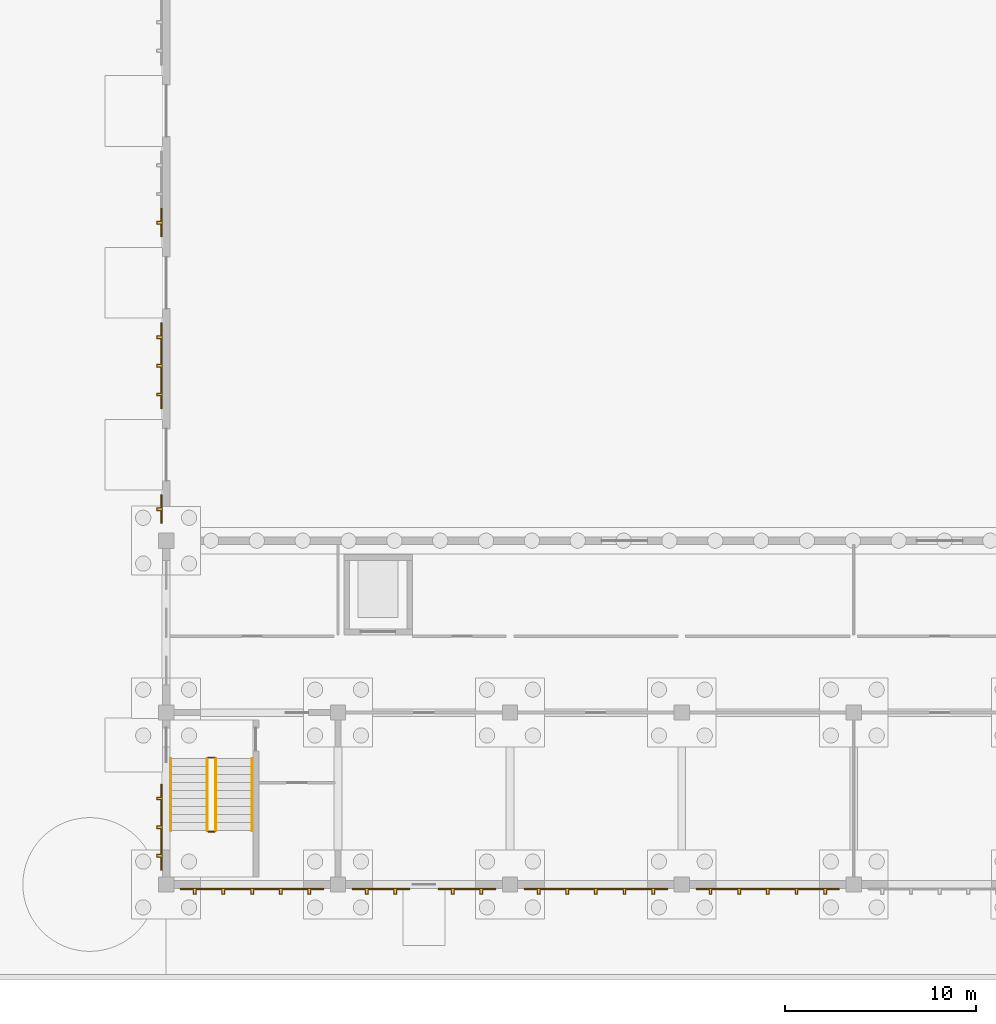
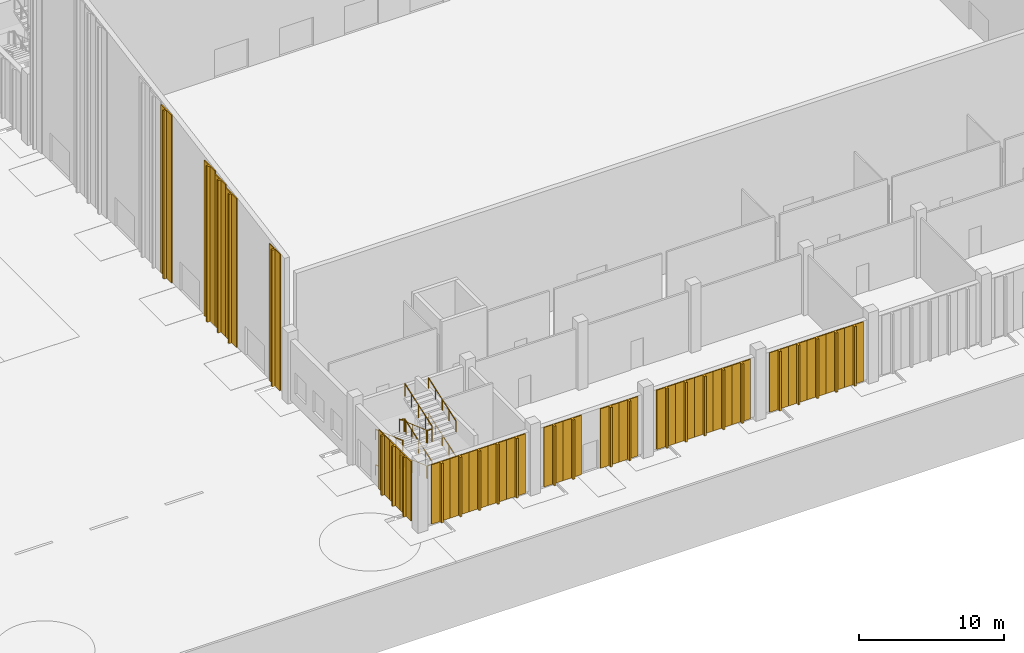
# One storey, part 177 of 198: 27 coverings, 12 railings.
"""IFC4 building model written with IfcOpenShell, lengths in metres."""

from ifc_helpers import new_model, si_unit, direction, frame, origin, origin_2d, place, context, subcontext, project, spatial, polyline, circle, outline, extrude, material, layer, layer_set, constituent, constituent_set, type_object, element, save


model = new_model("IFC4")

# Units and contexts
model_context = context("Model", 3, precision=1e-05, world=origin(), true_north=direction((0.0, 1.0)))
body_context = subcontext(model_context, "Body", "Model", "MODEL_VIEW")
ifc_project = project(units=[si_unit("LENGTHUNIT", "METRE"), si_unit("AREAUNIT", "SQUARE_METRE"), si_unit("VOLUMEUNIT", "CUBIC_METRE"), si_unit("PLANEANGLEUNIT", "RADIAN"), si_unit("MASSUNIT", "GRAM", prefix="KILO")], contexts=[model_context])

# Site, building, storey
site_placement = place(None, origin())
site = spatial("IfcSite", under=ifc_project, at=site_placement, CompositionType="ELEMENT")
building_placement = place(site_placement, origin())
building = spatial("IfcBuilding", under=site, at=building_placement, Name="Opaline Strait Convention Centre", CompositionType="ELEMENT")
storey_placement = place(building_placement, origin())
storey = spatial("IfcBuildingStorey", under=building, at=storey_placement, Name="L00", CompositionType="ELEMENT", Elevation=0.0)

# Railings
ifc_material_1 = material(Name="Steel Q235B", Category="steel")
ifc_constituent_1 = constituent(ifc_material_1, Name="Frame")
ifc_material_2 = material(Name="Safety glass, bonded interlayer", Category="glass")
ifc_constituent_2 = constituent(ifc_material_2, Name="Infill")
ifc_constituent_set = constituent_set(constituents=[ifc_constituent_1, ifc_constituent_2], Name="Steel Q235B, Safety glass, bonded interlayer")
railing_type_1 = type_object("IfcRailingType", Name="Guard 1100 steel and glass", PredefinedType="GUARDRAIL", material=ifc_constituent_set)
railing_1_placement = place(storey_placement, frame((290.14990234375, 15.60009765625, 0.14990234375)))
element("IfcRailing", 1, at=railing_1_placement, inside=storey, type_object=railing_type_1, Name="L00 B-STSW stair guard 1", PredefinedType="GUARDRAIL", context=body_context, shape_type="SweptSolid", body=[
    extrude(circle(Radius=0.02392578125, at=origin_2d()), frame((0.0, 0.0, 1.076171875), z_axis=(0.0, -0.941735030876, 0.336355662388), x_axis=(1.0, 0.0, 0.0)), (0.0, 0.0, 1.0), 4.013916015625),
    extrude(circle(Radius=0.02099609375, at=origin_2d()), origin(), (0.0, 0.0, 1.0), 1.052001953125),
    extrude(circle(Radius=0.02099609375, at=origin_2d()), frame((0.0, -0.945068359375, 0.33740234375)), (0.0, 0.0, 1.0), 1.052001953125),
    extrude(circle(Radius=0.02099609375, at=origin_2d()), frame((0.0, -1.89013671875, 0.675048828125)), (0.0, 0.0, 1.0), 1.052001953125),
    extrude(circle(Radius=0.02099609375, at=origin_2d()), frame((0.0, -2.8349609375, 1.0126953125)), (0.0, 0.0, 1.0), 1.052001953125),
    extrude(circle(Radius=0.02099609375, at=origin_2d()), frame((0.0, -3.780029296875, 1.35009765625)), (0.0, 0.0, 1.0), 1.052001953125),
])
railing_2_placement = place(storey_placement, frame((290.199951171875, 11.77001953125, 1.5)))
element("IfcRailing", 2, at=railing_2_placement, inside=storey, type_object=railing_type_1, Name="L00 B-STSW stair guard 2", PredefinedType="GUARDRAIL", context=body_context, shape_type="SweptSolid", body=[
    extrude(circle(Radius=0.02392578125, at=origin_2d()), frame((0.0, 0.0, 1.076171875), z_axis=(1.0, 0.0, 0.0), x_axis=(0.0, 1.0, 0.0)), (0.0, 0.0, 1.0), 0.35009765625),
    extrude(circle(Radius=0.02099609375, at=origin_2d()), origin(), (0.0, 0.0, 1.0), 1.052001953125),
    extrude(circle(Radius=0.02099609375, at=origin_2d()), frame((0.35009765625, 0.0, 0.0)), (0.0, 0.0, 1.0), 1.052001953125),
])
railing_3_placement = place(storey_placement, frame((290.60009765625, 11.820068359375, 1.64990234375)))
element("IfcRailing", 3, at=railing_3_placement, inside=storey, type_object=railing_type_1, Name="L00 B-STSW stair guard 3", PredefinedType="GUARDRAIL", context=body_context, shape_type="SweptSolid", body=[
    extrude(circle(Radius=0.02392578125, at=origin_2d()), frame((0.0, 0.0, 1.076171875), z_axis=(0.0, 0.941735030876, 0.336355662388), x_axis=(-1.0, 0.0, 0.0)), (0.0, 0.0, 1.0), 4.013916015625),
    extrude(circle(Radius=0.02099609375, at=origin_2d()), origin(), (0.0, 0.0, 1.0), 1.052001953125),
    extrude(circle(Radius=0.02099609375, at=origin_2d()), frame((0.0, 0.945068359375, 0.33740234375)), (0.0, 0.0, 1.0), 1.052001953125),
    extrude(circle(Radius=0.02099609375, at=origin_2d()), frame((0.0, 1.89013671875, 0.675048828125)), (0.0, 0.0, 1.0), 1.052001953125),
    extrude(circle(Radius=0.02099609375, at=origin_2d()), frame((0.0, 2.8349609375, 1.0126953125)), (0.0, 0.0, 1.0), 1.052001953125),
    extrude(circle(Radius=0.02099609375, at=origin_2d()), frame((0.0, 3.780029296875, 1.35009765625)), (0.0, 0.0, 1.0), 1.052001953125),
])
railing_4_placement = place(storey_placement, frame((290.199951171875, 15.64990234375, 3.0)))
element("IfcRailing", 4, at=railing_4_placement, inside=storey, type_object=railing_type_1, Name="L00 B-STSW stair guard 4", PredefinedType="GUARDRAIL", context=body_context, shape_type="SweptSolid", body=[
    extrude(circle(Radius=0.02392578125, at=origin_2d()), frame((0.0, 0.0, 1.076171875), z_axis=(1.0, 0.0, 0.0), x_axis=(0.0, 1.0, 0.0)), (0.0, 0.0, 1.0), 0.35009765625),
    extrude(circle(Radius=0.02099609375, at=origin_2d()), origin(), (0.0, 0.0, 1.0), 1.052001953125),
    extrude(circle(Radius=0.02099609375, at=origin_2d()), frame((0.35009765625, 0.0, 0.0)), (0.0, 0.0, 1.0), 1.052001953125),
])
railing_5_placement = place(storey_placement, frame((290.14990234375, 15.60009765625, 3.14990234375)))
element("IfcRailing", 5, at=railing_5_placement, inside=storey, type_object=railing_type_1, Name="L00 B-STSW stair guard 5", PredefinedType="GUARDRAIL", context=body_context, shape_type="SweptSolid", body=[
    extrude(circle(Radius=0.02392578125, at=origin_2d()), frame((0.0, 0.0, 1.076171875), z_axis=(0.0, -0.941735030876, 0.336355662388), x_axis=(1.0, 0.0, 0.0)), (0.0, 0.0, 1.0), 4.013916015625),
    extrude(circle(Radius=0.02099609375, at=origin_2d()), origin(), (0.0, 0.0, 1.0), 1.052001953125),
    extrude(circle(Radius=0.02099609375, at=origin_2d()), frame((0.0, -0.945068359375, 0.33740234375)), (0.0, 0.0, 1.0), 1.052001953125),
    extrude(circle(Radius=0.02099609375, at=origin_2d()), frame((0.0, -1.89013671875, 0.675048828125)), (0.0, 0.0, 1.0), 1.052001953125),
    extrude(circle(Radius=0.02099609375, at=origin_2d()), frame((0.0, -2.8349609375, 1.0126953125)), (0.0, 0.0, 1.0), 1.052001953125),
    extrude(circle(Radius=0.02099609375, at=origin_2d()), frame((0.0, -3.780029296875, 1.35009765625)), (0.0, 0.0, 1.0), 1.052001953125),
])
railing_6_placement = place(storey_placement, frame((290.199951171875, 11.77001953125, 4.5)))
element("IfcRailing", 6, at=railing_6_placement, inside=storey, type_object=railing_type_1, Name="L00 B-STSW stair guard 6", PredefinedType="GUARDRAIL", context=body_context, shape_type="SweptSolid", body=[
    extrude(circle(Radius=0.02392578125, at=origin_2d()), frame((0.0, 0.0, 1.076171875), z_axis=(1.0, 0.0, 0.0), x_axis=(0.0, 1.0, 0.0)), (0.0, 0.0, 1.0), 0.35009765625),
    extrude(circle(Radius=0.02099609375, at=origin_2d()), origin(), (0.0, 0.0, 1.0), 1.052001953125),
    extrude(circle(Radius=0.02099609375, at=origin_2d()), frame((0.35009765625, 0.0, 0.0)), (0.0, 0.0, 1.0), 1.052001953125),
])
railing_7_placement = place(storey_placement, frame((290.60009765625, 11.820068359375, 4.64990234375)))
element("IfcRailing", 7, at=railing_7_placement, inside=storey, type_object=railing_type_1, Name="L00 B-STSW stair guard 7", PredefinedType="GUARDRAIL", context=body_context, shape_type="SweptSolid", body=[
    extrude(circle(Radius=0.02392578125, at=origin_2d()), frame((0.0, 0.0, 1.076171875), z_axis=(0.0, 0.941735030876, 0.336355662388), x_axis=(-1.0, 0.0, 0.0)), (0.0, 0.0, 1.0), 4.013916015625),
    extrude(circle(Radius=0.02099609375, at=origin_2d()), origin(), (0.0, 0.0, 1.0), 1.052001953125),
    extrude(circle(Radius=0.02099609375, at=origin_2d()), frame((0.0, 0.945068359375, 0.33740234375)), (0.0, 0.0, 1.0), 1.052001953125),
    extrude(circle(Radius=0.02099609375, at=origin_2d()), frame((0.0, 1.89013671875, 0.675048828125)), (0.0, 0.0, 1.0), 1.052001953125),
    extrude(circle(Radius=0.02099609375, at=origin_2d()), frame((0.0, 2.8349609375, 1.0126953125)), (0.0, 0.0, 1.0), 1.052001953125),
    extrude(circle(Radius=0.02099609375, at=origin_2d()), frame((0.0, 3.780029296875, 1.35009765625)), (0.0, 0.0, 1.0), 1.052001953125),
])
railing_8_placement = place(storey_placement, frame((290.199951171875, 15.64990234375, 0.0)))
element("IfcRailing", 8, at=railing_8_placement, inside=storey, type_object=railing_type_1, Name="L00 B-STSW stair guard 8", PredefinedType="GUARDRAIL", context=body_context, shape_type="SweptSolid", body=[
    extrude(circle(Radius=0.02392578125, at=origin_2d()), frame((0.0, 0.0, 1.076171875), z_axis=(1.0, 0.0, 0.0), x_axis=(0.0, 1.0, 0.0)), (0.0, 0.0, 1.0), 0.35009765625),
    extrude(circle(Radius=0.02099609375, at=origin_2d()), origin(), (0.0, 0.0, 1.0), 1.052001953125),
    extrude(circle(Radius=0.02099609375, at=origin_2d()), frame((0.35009765625, 0.0, 0.0)), (0.0, 0.0, 1.0), 1.052001953125),
])

# Coverings
ifc_material_3 = material(Name="Concrete C40 precast white", Category="concrete")
ifc_layer = layer(ifc_material_3, 0.300048828125)
ifc_layer_set = layer_set([ifc_layer], Name="Concrete C40 precast white")
covering_type = type_object("IfcCoveringType", Name="Ribbed precast panel white 1500", PredefinedType="CLADDING", material=ifc_layer_set)
covering_1_placement = place(storey_placement, origin())
element("IfcCovering", 9, at=covering_1_placement, inside=storey, type_object=covering_type, Name="Ribbed panel L00-W27 1", PredefinedType="CLADDING", context=body_context, shape_type="SweptSolid", body=[
    extrude(outline(polyline([(287.800048828125, 27.89990234375), (287.800048828125, 29.39990234375), (287.719970703125, 29.39990234375), (287.719970703125, 28.72509765625), (287.5, 28.72509765625), (287.5, 28.574951171875), (287.719970703125, 28.574951171875), (287.719970703125, 27.89990234375), (287.800048828125, 27.89990234375)])), origin(), (0.0, 0.0, 1.0), 11.536376953125),
])
covering_2_placement = place(storey_placement, origin())
element("IfcCovering", 10, at=covering_2_placement, inside=storey, type_object=covering_type, Name="Ribbed panel L00-W27 5", PredefinedType="CLADDING", context=body_context, shape_type="SweptSolid", body=[
    extrude(outline(polyline([(287.800048828125, 33.89990234375), (287.800048828125, 35.39990234375), (287.719970703125, 35.39990234375), (287.719970703125, 34.72509765625), (287.5, 34.72509765625), (287.5, 34.574951171875), (287.719970703125, 34.574951171875), (287.719970703125, 33.89990234375), (287.800048828125, 33.89990234375)])), origin(), (0.0, 0.0, 1.0), 12.594482421875),
])
covering_3_placement = place(storey_placement, origin())
element("IfcCovering", 11, at=covering_3_placement, inside=storey, type_object=covering_type, Name="Ribbed panel L00-W27 6", PredefinedType="CLADDING", context=body_context, shape_type="SweptSolid", body=[
    extrude(outline(polyline([(287.800048828125, 35.39990234375), (287.800048828125, 36.89990234375), (287.719970703125, 36.89990234375), (287.719970703125, 36.22509765625), (287.5, 36.22509765625), (287.5, 36.074951171875), (287.719970703125, 36.074951171875), (287.719970703125, 35.39990234375), (287.800048828125, 35.39990234375)])), origin(), (0.0, 0.0, 1.0), 12.85888671875),
])
covering_4_placement = place(storey_placement, origin())
element("IfcCovering", 12, at=covering_4_placement, inside=storey, type_object=covering_type, Name="Ribbed panel L00-W27 7", PredefinedType="CLADDING", context=body_context, shape_type="SweptSolid", body=[
    extrude(outline(polyline([(287.800048828125, 36.89990234375), (287.800048828125, 38.39990234375), (287.719970703125, 38.39990234375), (287.719970703125, 37.72509765625), (287.5, 37.72509765625), (287.5, 37.574951171875), (287.719970703125, 37.574951171875), (287.719970703125, 36.89990234375), (287.800048828125, 36.89990234375)])), origin(), (0.0, 0.0, 1.0), 13.123291015625),
])
covering_5_placement = place(storey_placement, origin())
element("IfcCovering", 13, at=covering_5_placement, inside=storey, type_object=covering_type, Name="Ribbed panel L00-W27 11", PredefinedType="CLADDING", context=body_context, shape_type="SweptSolid", body=[
    extrude(outline(polyline([(287.800048828125, 42.89990234375), (287.800048828125, 44.39990234375), (287.719970703125, 44.39990234375), (287.719970703125, 43.72509765625), (287.5, 43.72509765625), (287.5, 43.574951171875), (287.719970703125, 43.574951171875), (287.719970703125, 42.89990234375), (287.800048828125, 42.89990234375)])), origin(), (0.0, 0.0, 1.0), 14.181396484375),
])
covering_6_placement = place(storey_placement, origin())
element("IfcCovering", 14, at=covering_6_placement, inside=storey, type_object=covering_type, Name="Ribbed panel L00-W9 1", PredefinedType="CLADDING", context=body_context, shape_type="SweptSolid", body=[
    extrude(outline(polyline([(287.800048828125, 9.75), (287.800048828125, 11.25), (287.719970703125, 11.25), (287.719970703125, 10.574951171875), (287.5, 10.574951171875), (287.5, 10.425048828125), (287.719970703125, 10.425048828125), (287.719970703125, 9.75), (287.800048828125, 9.75)])), origin(), (0.0, 0.0, 1.0), 5.02001953125),
])
covering_7_placement = place(storey_placement, origin())
element("IfcCovering", 15, at=covering_7_placement, inside=storey, type_object=covering_type, Name="Ribbed panel L00-W9 2", PredefinedType="CLADDING", context=body_context, shape_type="SweptSolid", body=[
    extrude(outline(polyline([(287.800048828125, 11.25), (287.800048828125, 12.75), (287.719970703125, 12.75), (287.719970703125, 12.074951171875), (287.5, 12.074951171875), (287.5, 11.925048828125), (287.719970703125, 11.925048828125), (287.719970703125, 11.25), (287.800048828125, 11.25)])), origin(), (0.0, 0.0, 1.0), 5.02001953125),
])
covering_8_placement = place(storey_placement, origin())
element("IfcCovering", 16, at=covering_8_placement, inside=storey, type_object=covering_type, Name="Ribbed panel L00-W9 3", PredefinedType="CLADDING", context=body_context, shape_type="SweptSolid", body=[
    extrude(outline(polyline([(287.800048828125, 12.75), (287.800048828125, 14.25), (287.719970703125, 14.25), (287.719970703125, 13.574951171875), (287.5, 13.574951171875), (287.5, 13.425048828125), (287.719970703125, 13.425048828125), (287.719970703125, 12.75), (287.800048828125, 12.75)])), origin(), (0.0, 0.0, 1.0), 5.02001953125),
])
covering_9_placement = place(storey_placement, origin())
element("IfcCovering", 17, at=covering_9_placement, inside=storey, type_object=covering_type, Name="Ribbed panel L00-S0 1", PredefinedType="CLADDING", context=body_context, shape_type="SweptSolid", body=[
    extrude(outline(polyline([(288.75, 8.800048828125), (290.25, 8.800048828125), (290.25, 8.719970703125), (289.574951171875, 8.719970703125), (289.574951171875, 8.5), (289.425048828125, 8.5), (289.425048828125, 8.719970703125), (288.75, 8.719970703125), (288.75, 8.800048828125)])), origin(), (0.0, 0.0, 1.0), 5.02001953125),
])
covering_10_placement = place(storey_placement, origin())
element("IfcCovering", 18, at=covering_10_placement, inside=storey, type_object=covering_type, Name="Ribbed panel L00-S0 2", PredefinedType="CLADDING", context=body_context, shape_type="SweptSolid", body=[
    extrude(outline(polyline([(290.25, 8.800048828125), (291.75, 8.800048828125), (291.75, 8.719970703125), (291.074951171875, 8.719970703125), (291.074951171875, 8.5), (290.925048828125, 8.5), (290.925048828125, 8.719970703125), (290.25, 8.719970703125), (290.25, 8.800048828125)])), origin(), (0.0, 0.0, 1.0), 5.02001953125),
])
covering_11_placement = place(storey_placement, origin())
element("IfcCovering", 19, at=covering_11_placement, inside=storey, type_object=covering_type, Name="Ribbed panel L00-S0 3", PredefinedType="CLADDING", context=body_context, shape_type="SweptSolid", body=[
    extrude(outline(polyline([(291.75, 8.800048828125), (293.25, 8.800048828125), (293.25, 8.719970703125), (292.574951171875, 8.719970703125), (292.574951171875, 8.5), (292.425048828125, 8.5), (292.425048828125, 8.719970703125), (291.75, 8.719970703125), (291.75, 8.800048828125)])), origin(), (0.0, 0.0, 1.0), 5.02001953125),
])
covering_12_placement = place(storey_placement, origin())
element("IfcCovering", 20, at=covering_12_placement, inside=storey, type_object=covering_type, Name="Ribbed panel L00-S0 4", PredefinedType="CLADDING", context=body_context, shape_type="SweptSolid", body=[
    extrude(outline(polyline([(293.25, 8.800048828125), (294.75, 8.800048828125), (294.75, 8.719970703125), (294.074951171875, 8.719970703125), (294.074951171875, 8.5), (293.925048828125, 8.5), (293.925048828125, 8.719970703125), (293.25, 8.719970703125), (293.25, 8.800048828125)])), origin(), (0.0, 0.0, 1.0), 5.02001953125),
])
covering_13_placement = place(storey_placement, origin())
element("IfcCovering", 21, at=covering_13_placement, inside=storey, type_object=covering_type, Name="Ribbed panel L00-S0 5", PredefinedType="CLADDING", context=body_context, shape_type="SweptSolid", body=[
    extrude(outline(polyline([(294.75, 8.800048828125), (296.25, 8.800048828125), (296.25, 8.719970703125), (295.574951171875, 8.719970703125), (295.574951171875, 8.5), (295.425048828125, 8.5), (295.425048828125, 8.719970703125), (294.75, 8.719970703125), (294.75, 8.800048828125)])), origin(), (0.0, 0.0, 1.0), 5.02001953125),
])
covering_14_placement = place(storey_placement, origin())
element("IfcCovering", 22, at=covering_14_placement, inside=storey, type_object=covering_type, Name="Ribbed panel L00-S1 1", PredefinedType="CLADDING", context=body_context, shape_type="SweptSolid", body=[
    extrude(outline(polyline([(297.75, 8.800048828125), (299.25, 8.800048828125), (299.25, 8.719970703125), (298.574951171875, 8.719970703125), (298.574951171875, 8.5), (298.425048828125, 8.5), (298.425048828125, 8.719970703125), (297.75, 8.719970703125), (297.75, 8.800048828125)])), origin(), (0.0, 0.0, 1.0), 5.02001953125),
])
covering_15_placement = place(storey_placement, origin())
element("IfcCovering", 23, at=covering_15_placement, inside=storey, type_object=covering_type, Name="Ribbed panel L00-S1 2", PredefinedType="CLADDING", context=body_context, shape_type="SweptSolid", body=[
    extrude(outline(polyline([(299.25, 8.800048828125), (300.75, 8.800048828125), (300.75, 8.719970703125), (300.074951171875, 8.719970703125), (300.074951171875, 8.5), (299.925048828125, 8.5), (299.925048828125, 8.719970703125), (299.25, 8.719970703125), (299.25, 8.800048828125)])), origin(), (0.0, 0.0, 1.0), 5.02001953125),
])
covering_16_placement = place(storey_placement, origin())
element("IfcCovering", 24, at=covering_16_placement, inside=storey, type_object=covering_type, Name="Ribbed panel L00-S1 4", PredefinedType="CLADDING", context=body_context, shape_type="SweptSolid", body=[
    extrude(outline(polyline([(302.25, 8.800048828125), (303.75, 8.800048828125), (303.75, 8.719970703125), (303.074951171875, 8.719970703125), (303.074951171875, 8.5), (302.925048828125, 8.5), (302.925048828125, 8.719970703125), (302.25, 8.719970703125), (302.25, 8.800048828125)])), origin(), (0.0, 0.0, 1.0), 5.02001953125),
])
covering_17_placement = place(storey_placement, origin())
element("IfcCovering", 25, at=covering_17_placement, inside=storey, type_object=covering_type, Name="Ribbed panel L00-S1 5", PredefinedType="CLADDING", context=body_context, shape_type="SweptSolid", body=[
    extrude(outline(polyline([(303.75, 8.800048828125), (305.25, 8.800048828125), (305.25, 8.719970703125), (304.574951171875, 8.719970703125), (304.574951171875, 8.5), (304.425048828125, 8.5), (304.425048828125, 8.719970703125), (303.75, 8.719970703125), (303.75, 8.800048828125)])), origin(), (0.0, 0.0, 1.0), 5.02001953125),
])
covering_18_placement = place(storey_placement, origin())
element("IfcCovering", 26, at=covering_18_placement, inside=storey, type_object=covering_type, Name="Ribbed panel L00-S2 1", PredefinedType="CLADDING", context=body_context, shape_type="SweptSolid", body=[
    extrude(outline(polyline([(306.75, 8.800048828125), (308.25, 8.800048828125), (308.25, 8.719970703125), (307.574951171875, 8.719970703125), (307.574951171875, 8.5), (307.425048828125, 8.5), (307.425048828125, 8.719970703125), (306.75, 8.719970703125), (306.75, 8.800048828125)])), origin(), (0.0, 0.0, 1.0), 5.02001953125),
])
covering_19_placement = place(storey_placement, origin())
element("IfcCovering", 27, at=covering_19_placement, inside=storey, type_object=covering_type, Name="Ribbed panel L00-S2 2", PredefinedType="CLADDING", context=body_context, shape_type="SweptSolid", body=[
    extrude(outline(polyline([(308.25, 8.800048828125), (309.75, 8.800048828125), (309.75, 8.719970703125), (309.074951171875, 8.719970703125), (309.074951171875, 8.5), (308.925048828125, 8.5), (308.925048828125, 8.719970703125), (308.25, 8.719970703125), (308.25, 8.800048828125)])), origin(), (0.0, 0.0, 1.0), 5.02001953125),
])
covering_20_placement = place(storey_placement, origin())
element("IfcCovering", 28, at=covering_20_placement, inside=storey, type_object=covering_type, Name="Ribbed panel L00-S2 3", PredefinedType="CLADDING", context=body_context, shape_type="SweptSolid", body=[
    extrude(outline(polyline([(309.75, 8.800048828125), (311.25, 8.800048828125), (311.25, 8.719970703125), (310.574951171875, 8.719970703125), (310.574951171875, 8.5), (310.425048828125, 8.5), (310.425048828125, 8.719970703125), (309.75, 8.719970703125), (309.75, 8.800048828125)])), origin(), (0.0, 0.0, 1.0), 5.02001953125),
])
covering_21_placement = place(storey_placement, origin())
element("IfcCovering", 29, at=covering_21_placement, inside=storey, type_object=covering_type, Name="Ribbed panel L00-S2 4", PredefinedType="CLADDING", context=body_context, shape_type="SweptSolid", body=[
    extrude(outline(polyline([(311.25, 8.800048828125), (312.75, 8.800048828125), (312.75, 8.719970703125), (312.074951171875, 8.719970703125), (312.074951171875, 8.5), (311.925048828125, 8.5), (311.925048828125, 8.719970703125), (311.25, 8.719970703125), (311.25, 8.800048828125)])), origin(), (0.0, 0.0, 1.0), 5.02001953125),
])
covering_22_placement = place(storey_placement, origin())
element("IfcCovering", 30, at=covering_22_placement, inside=storey, type_object=covering_type, Name="Ribbed panel L00-S2 5", PredefinedType="CLADDING", context=body_context, shape_type="SweptSolid", body=[
    extrude(outline(polyline([(312.75, 8.800048828125), (314.25, 8.800048828125), (314.25, 8.719970703125), (313.574951171875, 8.719970703125), (313.574951171875, 8.5), (313.425048828125, 8.5), (313.425048828125, 8.719970703125), (312.75, 8.719970703125), (312.75, 8.800048828125)])), origin(), (0.0, 0.0, 1.0), 5.02001953125),
])
covering_23_placement = place(storey_placement, origin())
element("IfcCovering", 31, at=covering_23_placement, inside=storey, type_object=covering_type, Name="Ribbed panel L00-S3 1", PredefinedType="CLADDING", context=body_context, shape_type="SweptSolid", body=[
    extrude(outline(polyline([(315.75, 8.800048828125), (317.25, 8.800048828125), (317.25, 8.719970703125), (316.574951171875, 8.719970703125), (316.574951171875, 8.5), (316.425048828125, 8.5), (316.425048828125, 8.719970703125), (315.75, 8.719970703125), (315.75, 8.800048828125)])), origin(), (0.0, 0.0, 1.0), 5.02001953125),
])
covering_24_placement = place(storey_placement, origin())
element("IfcCovering", 32, at=covering_24_placement, inside=storey, type_object=covering_type, Name="Ribbed panel L00-S3 2", PredefinedType="CLADDING", context=body_context, shape_type="SweptSolid", body=[
    extrude(outline(polyline([(317.25, 8.800048828125), (318.75, 8.800048828125), (318.75, 8.719970703125), (318.074951171875, 8.719970703125), (318.074951171875, 8.5), (317.925048828125, 8.5), (317.925048828125, 8.719970703125), (317.25, 8.719970703125), (317.25, 8.800048828125)])), origin(), (0.0, 0.0, 1.0), 5.02001953125),
])
covering_25_placement = place(storey_placement, origin())
element("IfcCovering", 33, at=covering_25_placement, inside=storey, type_object=covering_type, Name="Ribbed panel L00-S3 3", PredefinedType="CLADDING", context=body_context, shape_type="SweptSolid", body=[
    extrude(outline(polyline([(318.75, 8.800048828125), (320.25, 8.800048828125), (320.25, 8.719970703125), (319.574951171875, 8.719970703125), (319.574951171875, 8.5), (319.425048828125, 8.5), (319.425048828125, 8.719970703125), (318.75, 8.719970703125), (318.75, 8.800048828125)])), origin(), (0.0, 0.0, 1.0), 5.02001953125),
])
covering_26_placement = place(storey_placement, origin())
element("IfcCovering", 34, at=covering_26_placement, inside=storey, type_object=covering_type, Name="Ribbed panel L00-S3 4", PredefinedType="CLADDING", context=body_context, shape_type="SweptSolid", body=[
    extrude(outline(polyline([(320.25, 8.800048828125), (321.75, 8.800048828125), (321.75, 8.719970703125), (321.074951171875, 8.719970703125), (321.074951171875, 8.5), (320.925048828125, 8.5), (320.925048828125, 8.719970703125), (320.25, 8.719970703125), (320.25, 8.800048828125)])), origin(), (0.0, 0.0, 1.0), 5.02001953125),
])
covering_27_placement = place(storey_placement, origin())
element("IfcCovering", 35, at=covering_27_placement, inside=storey, type_object=covering_type, Name="Ribbed panel L00-S3 5", PredefinedType="CLADDING", context=body_context, shape_type="SweptSolid", body=[
    extrude(outline(polyline([(321.75, 8.800048828125), (323.25, 8.800048828125), (323.25, 8.719970703125), (322.574951171875, 8.719970703125), (322.574951171875, 8.5), (322.425048828125, 8.5), (322.425048828125, 8.719970703125), (321.75, 8.719970703125), (321.75, 8.800048828125)])), origin(), (0.0, 0.0, 1.0), 5.02001953125),
])

# Railings
ifc_material_4 = material(Name="Stainless steel 304", Category="steel")
railing_type_2 = type_object("IfcRailingType", Name="Stair handrail 900", PredefinedType="HANDRAIL", material=ifc_material_4)
railing_9_placement = place(storey_placement, frame((288.25, 15.60009765625, 0.14990234375)))
element("IfcRailing", 36, at=railing_9_placement, inside=storey, type_object=railing_type_2, Name="L00 B-STSW stair handrail 1", PredefinedType="HANDRAIL", context=body_context, shape_type="SweptSolid", body=[
    extrude(circle(Radius=0.02392578125, at=origin_2d()), frame((0.0, 0.0, 0.8759765625), z_axis=(0.0, -0.941735030876, 0.336355662388), x_axis=(1.0, 0.0, 0.0)), (0.0, 0.0, 1.0), 4.013916015625),
    extrude(circle(Radius=0.02099609375, at=origin_2d()), origin(), (0.0, 0.0, 1.0), 0.851806640625),
    extrude(circle(Radius=0.02099609375, at=origin_2d()), frame((0.0, -0.945068359375, 0.33740234375)), (0.0, 0.0, 1.0), 0.851806640625),
    extrude(circle(Radius=0.02099609375, at=origin_2d()), frame((0.0, -1.89013671875, 0.675048828125)), (0.0, 0.0, 1.0), 0.851806640625),
    extrude(circle(Radius=0.02099609375, at=origin_2d()), frame((0.0, -2.8349609375, 1.0126953125)), (0.0, 0.0, 1.0), 0.851806640625),
    extrude(circle(Radius=0.02099609375, at=origin_2d()), frame((0.0, -3.780029296875, 1.35009765625)), (0.0, 0.0, 1.0), 0.851806640625),
])
railing_10_placement = place(storey_placement, frame((292.5, 11.820068359375, 1.64990234375)))
element("IfcRailing", 37, at=railing_10_placement, inside=storey, type_object=railing_type_2, Name="L00 B-STSW stair handrail 2", PredefinedType="HANDRAIL", context=body_context, shape_type="SweptSolid", body=[
    extrude(circle(Radius=0.02392578125, at=origin_2d()), frame((0.0, 0.0, 0.8759765625), z_axis=(0.0, 0.941735030876, 0.336355662388), x_axis=(-1.0, 0.0, 0.0)), (0.0, 0.0, 1.0), 4.013916015625),
    extrude(circle(Radius=0.02099609375, at=origin_2d()), origin(), (0.0, 0.0, 1.0), 0.851806640625),
    extrude(circle(Radius=0.02099609375, at=origin_2d()), frame((0.0, 0.945068359375, 0.33740234375)), (0.0, 0.0, 1.0), 0.851806640625),
    extrude(circle(Radius=0.02099609375, at=origin_2d()), frame((0.0, 1.89013671875, 0.675048828125)), (0.0, 0.0, 1.0), 0.851806640625),
    extrude(circle(Radius=0.02099609375, at=origin_2d()), frame((0.0, 2.8349609375, 1.0126953125)), (0.0, 0.0, 1.0), 0.851806640625),
    extrude(circle(Radius=0.02099609375, at=origin_2d()), frame((0.0, 3.780029296875, 1.35009765625)), (0.0, 0.0, 1.0), 0.851806640625),
])
railing_11_placement = place(storey_placement, frame((288.25, 15.60009765625, 3.14990234375)))
element("IfcRailing", 38, at=railing_11_placement, inside=storey, type_object=railing_type_2, Name="L00 B-STSW stair handrail 3", PredefinedType="HANDRAIL", context=body_context, shape_type="SweptSolid", body=[
    extrude(circle(Radius=0.02392578125, at=origin_2d()), frame((0.0, 0.0, 0.8759765625), z_axis=(0.0, -0.941735030876, 0.336355662388), x_axis=(1.0, 0.0, 0.0)), (0.0, 0.0, 1.0), 4.013916015625),
    extrude(circle(Radius=0.02099609375, at=origin_2d()), origin(), (0.0, 0.0, 1.0), 0.851806640625),
    extrude(circle(Radius=0.02099609375, at=origin_2d()), frame((0.0, -0.945068359375, 0.33740234375)), (0.0, 0.0, 1.0), 0.851806640625),
    extrude(circle(Radius=0.02099609375, at=origin_2d()), frame((0.0, -1.89013671875, 0.675048828125)), (0.0, 0.0, 1.0), 0.851806640625),
    extrude(circle(Radius=0.02099609375, at=origin_2d()), frame((0.0, -2.8349609375, 1.0126953125)), (0.0, 0.0, 1.0), 0.851806640625),
    extrude(circle(Radius=0.02099609375, at=origin_2d()), frame((0.0, -3.780029296875, 1.35009765625)), (0.0, 0.0, 1.0), 0.851806640625),
])
railing_12_placement = place(storey_placement, frame((292.5, 11.820068359375, 4.64990234375)))
element("IfcRailing", 39, at=railing_12_placement, inside=storey, type_object=railing_type_2, Name="L00 B-STSW stair handrail 4", PredefinedType="HANDRAIL", context=body_context, shape_type="SweptSolid", body=[
    extrude(circle(Radius=0.02392578125, at=origin_2d()), frame((0.0, 0.0, 0.8759765625), z_axis=(0.0, 0.941735030876, 0.336355662388), x_axis=(-1.0, 0.0, 0.0)), (0.0, 0.0, 1.0), 4.013916015625),
    extrude(circle(Radius=0.02099609375, at=origin_2d()), origin(), (0.0, 0.0, 1.0), 0.851806640625),
    extrude(circle(Radius=0.02099609375, at=origin_2d()), frame((0.0, 0.945068359375, 0.33740234375)), (0.0, 0.0, 1.0), 0.851806640625),
    extrude(circle(Radius=0.02099609375, at=origin_2d()), frame((0.0, 1.89013671875, 0.675048828125)), (0.0, 0.0, 1.0), 0.851806640625),
    extrude(circle(Radius=0.02099609375, at=origin_2d()), frame((0.0, 2.8349609375, 1.0126953125)), (0.0, 0.0, 1.0), 0.851806640625),
    extrude(circle(Radius=0.02099609375, at=origin_2d()), frame((0.0, 3.780029296875, 1.35009765625)), (0.0, 0.0, 1.0), 0.851806640625),
])

save(model, "model.ifc")
